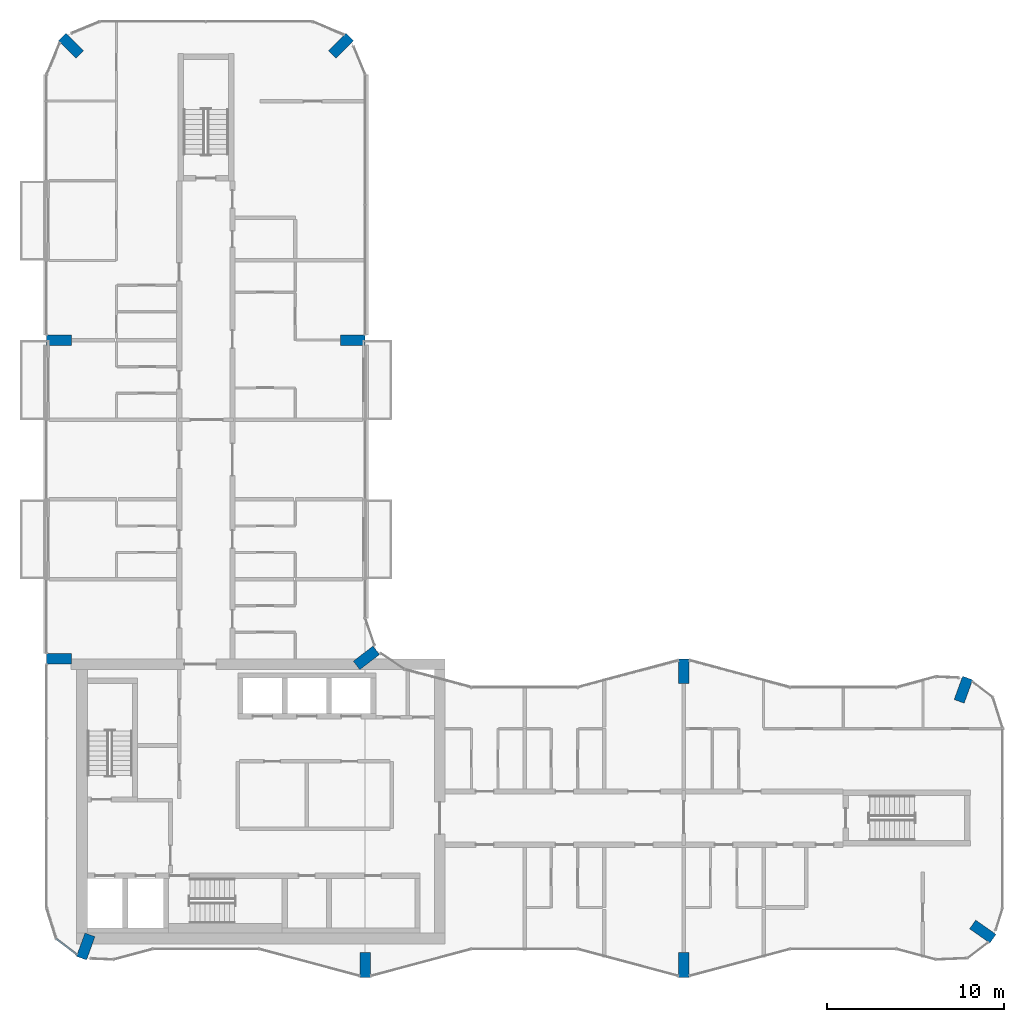
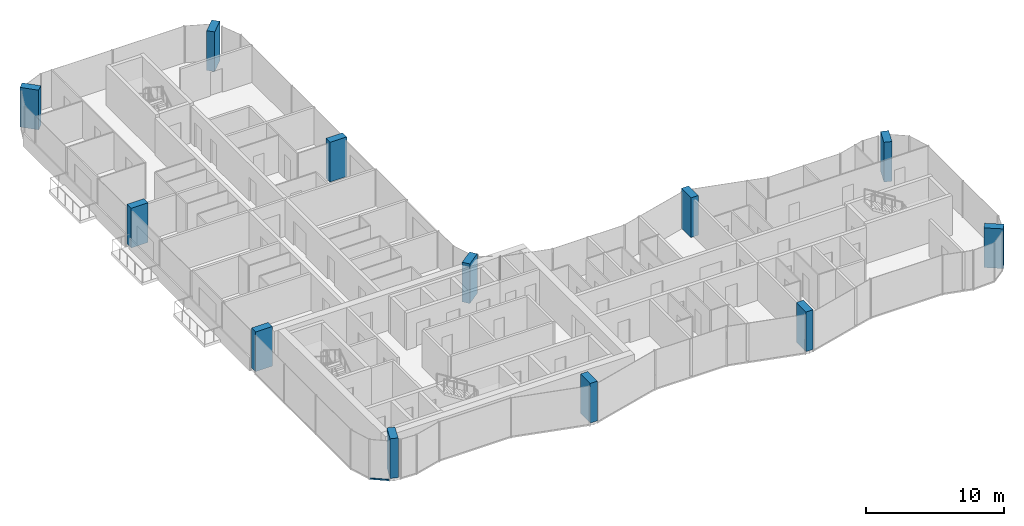
# One storey, part 1 of 16: 12 columns, 1 member, 1 element without a shape of its own.
"""IFC4 building model written with IfcOpenShell, lengths in metres."""

from ifc_helpers import new_model, si_unit, direction, frame, origin, origin_2d, place, context, subcontext, project, spatial, rectangle, extrude, material, layer, layer_set, material_profile, profile_set, type_object, element, aggregate, save


model = new_model("IFC4")

# Units and contexts
model_context = context("Model", 3, precision=1e-05, world=origin(), true_north=direction((0.0, 1.0)))
body_context = subcontext(model_context, "Body", "Model", "MODEL_VIEW")
ifc_project = project(units=[si_unit("LENGTHUNIT", "METRE"), si_unit("AREAUNIT", "SQUARE_METRE"), si_unit("VOLUMEUNIT", "CUBIC_METRE"), si_unit("PLANEANGLEUNIT", "RADIAN"), si_unit("MASSUNIT", "GRAM", prefix="KILO")], contexts=[model_context])

# Site, building, storey
site_placement = place(None, origin())
site = spatial("IfcSite", under=ifc_project, at=site_placement, CompositionType="ELEMENT")
building_placement = place(site_placement, origin())
building = spatial("IfcBuilding", under=site, at=building_placement, Name="Plateau Cross Towers", CompositionType="ELEMENT")
storey_placement = place(building_placement, frame((0.0, 0.0, 167.39990234375)))
storey = spatial("IfcBuildingStorey", under=building, at=storey_placement, Name="L43", CompositionType="ELEMENT", Elevation=167.39990234375)

# Columns
ifc_material_1 = material(Name="Concrete C60/75", Category="concrete")
ifc_material_profile_1 = material_profile(ifc_material_1, rectangle(XDim=0.60009765625, YDim=1.39990234375, at=origin_2d()), Name="RC 600x1400")
ifc_profile_set_1 = profile_set([ifc_material_profile_1], Name="Concrete C60/75")
column_type = type_object("IfcColumnType", Name="Fin pier column RC 600x1400", PredefinedType="COLUMN", material=ifc_profile_set_1)
for number, where, z_axis, x_axis, name in (
    (1, (18.0, 0.699951171875, 0.0), (0.0, 0.0, 1.0), (1.0, 0.0, 0.0), "PR1 L43"),
    (2, (36.0, 0.699951171875, 0.0), (0.0, 0.0, 1.0), (1.0, 0.0, 0.0), "PR2 L43"),
    (3, (52.884033203125, 2.590087890625, 0.0), (0.0, 0.0, 1.0), (0.573542637991, 0.819175709117, 0.0), "PR3 L43"),
    (4, (51.786865234375, 16.251953125, 0.0), (0.0, 0.0, 1.0), (-0.939664280925, 0.342097996418, 0.0), "PR4 L43"),
    (5, (36.0, 17.300048828125, 0.0), (0.0, 0.0, 1.0), (1.0, 0.0, 0.0), "PR5 L43"),
    (6, (18.064697265625, 18.049560546875, 0.0), (0.0, 0.0, 1.0), (-0.608810846443, 0.793315418515, 0.0), "PR6 L43"),
    (7, (17.300048828125, 36.0, 0.0), (0.0, 0.0, 1.0), (0.0, 1.0, 0.0), "PR7 L43"),
    (8, (16.62646484375, 52.62646484375, 0.0), (0.0, 0.0, 1.0), (-0.707106781187, 0.707106781187, 0.0), "PR8 L43"),
    (9, (1.37353515625, 52.62646484375, 0.0), (0.0, 0.0, 1.0), (0.707106781187, 0.707106781187, 0.0), "PR9 L43"),
    (10, (0.699951171875, 36.0, 0.0), (0.0, 0.0, 1.0), (0.0, 1.0, 0.0), "PR10 L43"),
    (11, (0.699951171875, 18.0, 0.0), (0.0, 0.0, 1.0), (0.0, 1.0, 0.0), "PR11 L43"),
    (12, (2.213134765625, 1.748046875, 0.0), (0.0, 0.0, 1.0), (-0.939664280925, 0.342097996418, 0.0), "PR12 L43"),
):
    element("IfcColumn", number, at=place(storey_placement, frame(where, z_axis=z_axis, x_axis=x_axis)), inside=storey, type_object=column_type, Name=name, PredefinedType="COLUMN", context=body_context, shape_type="SweptSolid", body=[
        extrude(rectangle(XDim=0.60009765625, YDim=1.39990234375, at=origin_2d()), origin(), (0.0, 0.0, 1.0), 3.5),
    ])

# Curtain wall, member
ifc_material_2 = material(Name="Dark low-iron glass", Category="glass")
ifc_layer = layer(ifc_material_2, 0.239990234375)
ifc_layer_set = layer_set([ifc_layer], Name="Dark low-iron glass")
curtain_wall_type = type_object("IfcCurtainWallType", Name="Curtain wall flush unitised CW-B", PredefinedType="NOTDEFINED", material=ifc_layer_set)
curtain_wall_placement = place(storey_placement, origin())
curtain_wall = element("IfcCurtainWall", 13, at=curtain_wall_placement, inside=storey, type_object=curtain_wall_type, Name="ENV/A/L43/A5_22", PredefinedType="NOTDEFINED")
ifc_material_3 = material(Name="Black anodised aluminium", Category="aluminium")
ifc_material_profile_2 = material_profile(ifc_material_3, rectangle(XDim=0.10009765625, YDim=0.1201171875, at=origin_2d()), Name="TRANSOM 100x120")
ifc_profile_set_2 = profile_set([ifc_material_profile_2], Name="Black anodised aluminium")
member_type = type_object("IfcMemberType", Name="Transom 100x120 flush unitised", PredefinedType="USERDEFINED", material=ifc_profile_set_2)
member_placement = place(storey_placement, frame((0.54248046875, 2.1884765625, -0.18994140625), z_axis=(0.793320508571, -0.608804213751, 0.0), x_axis=(0.608804213751, 0.793320508571, 0.0)))
member = element("IfcMember", 14, at=member_placement, type_object=member_type, Name="CW-B transom", ObjectType="TRANSOM", PredefinedType="USERDEFINED", context=body_context, shape_type="SweptSolid", body=[
    extrude(rectangle(XDim=0.10009765625, YDim=0.1201171875, at=origin_2d()), origin(), (0.0, 0.0, 1.0), 1.471435546875),
])
aggregate(curtain_wall, [member])

save(model, "model.ifc")
